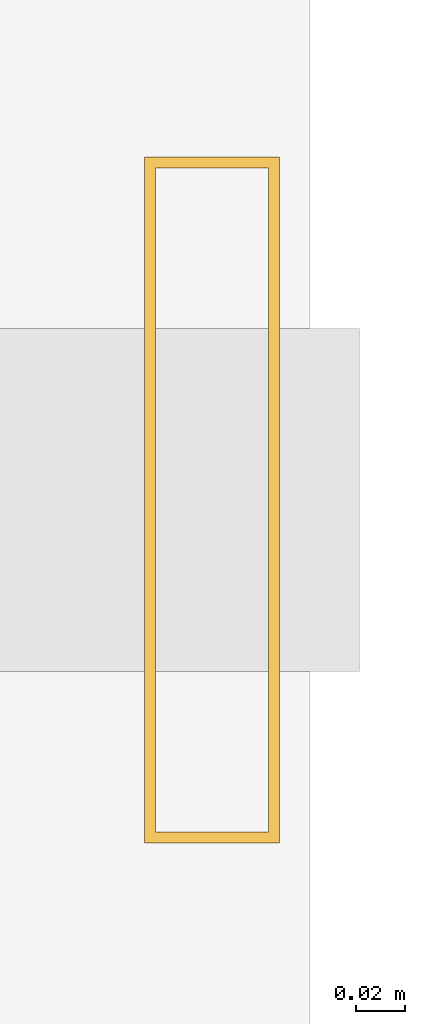
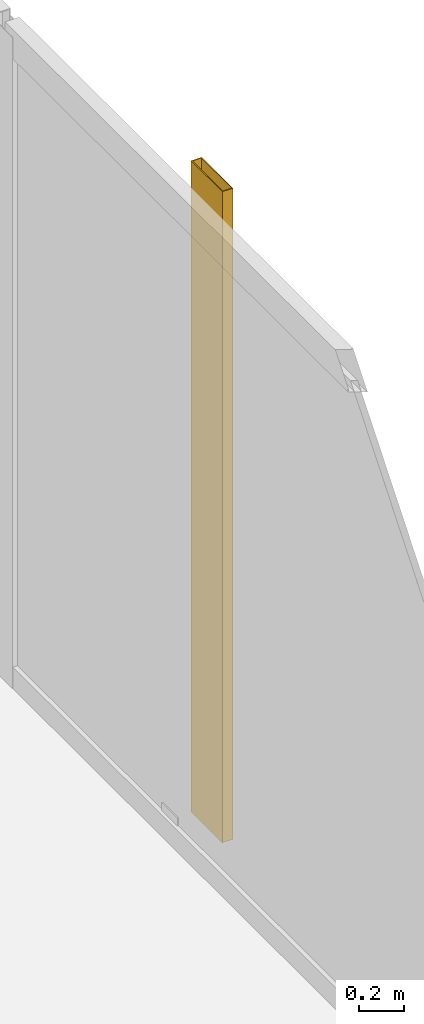
# One storey, part 24 of 24: 1 shading device.
"""IFC4 building model written with IfcOpenShell, lengths in metres."""

from ifc_helpers import new_model, si_unit, direction, frame, origin, origin_2d, place, context, subcontext, project, spatial, hollow_rectangle, extrude, material, material_profile, profile_set, type_object, element, save


model = new_model("IFC4")

# Units and contexts
model_context = context("Model", 3, precision=1e-05, world=origin(), true_north=direction((0.0, 1.0)))
body_context = subcontext(model_context, "Body", "Model", "MODEL_VIEW")
ifc_project = project(units=[si_unit("LENGTHUNIT", "METRE"), si_unit("AREAUNIT", "SQUARE_METRE"), si_unit("VOLUMEUNIT", "CUBIC_METRE"), si_unit("PLANEANGLEUNIT", "RADIAN"), si_unit("MASSUNIT", "GRAM", prefix="KILO")], contexts=[model_context])

# Site, building, storey
site_placement = place(None, origin())
site = spatial("IfcSite", under=ifc_project, at=site_placement, CompositionType="ELEMENT")
building_placement = place(site_placement, origin())
building = spatial("IfcBuilding", under=site, at=building_placement, Name="Kolvaren Waterfront Exchange", CompositionType="ELEMENT")
storey_placement = place(building_placement, frame((0.0, 0.0, 300.800048828125)))
storey = spatial("IfcBuildingStorey", under=building, at=storey_placement, Name="L77", CompositionType="ELEMENT", Elevation=300.800048828125)

# Shading device
ifc_material = material(Name="Anodised bronze aluminium 6063-T6", Category="aluminium")
ifc_material_profile = material_profile(ifc_material, hollow_rectangle(XDim=0.054931640625, YDim=0.280029296875, WallThickness=0.00439453125, at=origin_2d()), Name="BRZ-FIN-280x55x4.5")
ifc_profile_set = profile_set([ifc_material_profile], Name="Anodised bronze aluminium 6063-T6")
shading_device_type = type_object("IfcShadingDeviceType", Name="ARC-FIN-280", PredefinedType="USERDEFINED", material=ifc_profile_set)
shading_device_placement = place(storey_placement, frame((21.254638671875, 38.0, 0.0), z_axis=(0.0, 0.0, 1.0), x_axis=(1.0, 0.0, 0.0)))
element("IfcShadingDevice", 1, at=shading_device_placement, inside=storey, type_object=shading_device_type, Name="L77 anodised bronze solar shading fin FIN-L77-E3", ObjectType="SOLAR FIN", PredefinedType="USERDEFINED", context=body_context, shape_type="SweptSolid", body=[
    extrude(hollow_rectangle(XDim=0.054931640625, YDim=0.280029296875, WallThickness=0.00439453125, at=origin_2d()), origin(), (0.0, 0.0, 1.0), 3.56005859375),
])

save(model, "model.ifc")
